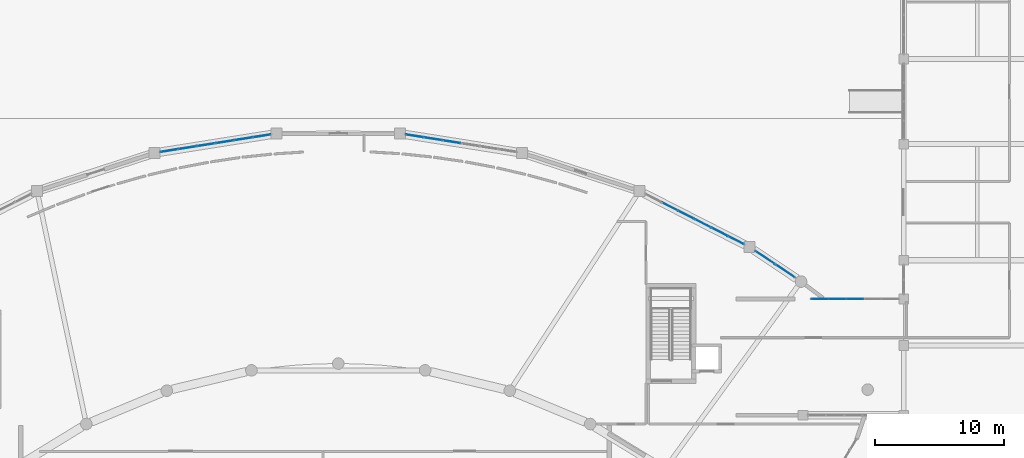
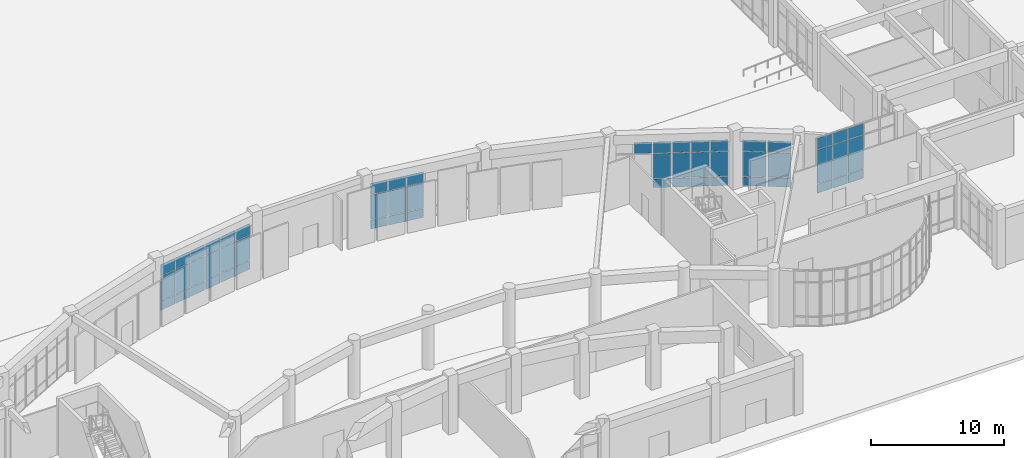
# One storey, part 41 of 70: 55 plates, 8 elements without a shape of their own.
"""IFC4 building model written with IfcOpenShell, lengths in metres."""

from ifc_helpers import new_model, si_unit, direction, frame, origin, origin_2d, place, context, subcontext, project, spatial, rectangle, extrude, material, layer, layer_set, type_object, element, aggregate, save


model = new_model("IFC4")

# Units and contexts
model_context = context("Model", 3, precision=1e-05, world=origin(), true_north=direction((0.0, 1.0)))
body_context = subcontext(model_context, "Body", "Model", "MODEL_VIEW")
ifc_project = project(units=[si_unit("LENGTHUNIT", "METRE"), si_unit("AREAUNIT", "SQUARE_METRE"), si_unit("VOLUMEUNIT", "CUBIC_METRE"), si_unit("PLANEANGLEUNIT", "RADIAN"), si_unit("MASSUNIT", "GRAM", prefix="KILO")], contexts=[model_context])

# Site, building, storey
site_placement = place(None, origin())
site = spatial("IfcSite", under=ifc_project, at=site_placement, CompositionType="ELEMENT")
building_placement = place(site_placement, origin())
building = spatial("IfcBuilding", under=site, at=building_placement, Name="Miralva Faculty of Natural Sciences", CompositionType="ELEMENT")
storey_placement = place(building_placement, origin())
storey = spatial("IfcBuildingStorey", under=building, at=storey_placement, Name="L00", CompositionType="ELEMENT", Elevation=0.0)

# Curtain wall, plates
ifc_material = material(Name="Laminated solar-control glass", Category="glass")
ifc_layer_1 = layer(ifc_material, 0.179931640625, Name="CW-ARC-L00")
ifc_layer_set_1 = layer_set([ifc_layer_1], Name="Laminated solar-control glass")
curtain_wall_type_1 = type_object("IfcCurtainWallType", Name="CW-ARC-L00", PredefinedType="USERDEFINED", material=ifc_layer_set_1)
curtain_wall_1_placement = place(storey_placement, origin())
curtain_wall_1 = element("IfcCurtainWall", 1, at=curtain_wall_1_placement, inside=storey, type_object=curtain_wall_type_1, Name="Curtain wall CW-01 L00-5", ObjectType="UNITISED CURTAIN WALL", PredefinedType="USERDEFINED")
ifc_layer_2 = layer(ifc_material, 0.028076171875, Name="PNL-P01")
ifc_layer_set_2 = layer_set([ifc_layer_2], Name="Laminated solar-control glass")
plate_type = type_object("IfcPlateType", Name="PNL-P01", PredefinedType="CURTAIN_PANEL", material=ifc_layer_set_2)
plate_1_placement = place(storey_placement, frame((76.9052734375, 38.49609375, 0.06005859375), z_axis=(0.0, 0.0, 1.0), x_axis=(0.987687538377, 0.15643952996, 0.0)))
plate_1 = element("IfcPlate", 2, at=plate_1_placement, type_object=plate_type, Name="CW-01 panel 1.1", PredefinedType="CURTAIN_PANEL", context=body_context, shape_type="SweptSolid", body=[
    extrude(rectangle(XDim=1.359619140625, YDim=0.028076171875, at=origin_2d()), origin(), (0.0, 0.0, 1.0), 0.81005859375),
])
plate_2_placement = place(storey_placement, frame((76.9052734375, 38.49609375, 0.929931640625), z_axis=(0.0, 0.0, 1.0), x_axis=(0.987687538377, 0.15643952996, 0.0)))
plate_2 = element("IfcPlate", 3, at=plate_2_placement, type_object=plate_type, Name="CW-01 panel 1.2", PredefinedType="CURTAIN_PANEL", context=body_context, shape_type="SweptSolid", body=[
    extrude(rectangle(XDim=1.359619140625, YDim=0.028076171875, at=origin_2d()), origin(), (0.0, 0.0, 1.0), 2.2451171875),
])
plate_3_placement = place(storey_placement, frame((76.9052734375, 38.49609375, 3.23486328125), z_axis=(0.0, 0.0, 1.0), x_axis=(0.987687538377, 0.15643952996, 0.0)))
plate_3 = element("IfcPlate", 4, at=plate_3_placement, type_object=plate_type, Name="CW-01 panel 1.3", PredefinedType="CURTAIN_PANEL", context=body_context, shape_type="SweptSolid", body=[
    extrude(rectangle(XDim=1.359619140625, YDim=0.028076171875, at=origin_2d()), origin(), (0.0, 0.0, 1.0), 1.010009765625),
])
plate_4_placement = place(storey_placement, frame((78.328369140625, 38.721435546875, 0.06005859375), z_axis=(0.0, 0.0, 1.0), x_axis=(0.987687538377, 0.15643952996, 0.0)))
plate_4 = element("IfcPlate", 5, at=plate_4_placement, type_object=plate_type, Name="CW-01 panel 2.1", PredefinedType="CURTAIN_PANEL", context=body_context, shape_type="SweptSolid", body=[
    extrude(rectangle(XDim=1.39208984375, YDim=0.028076171875, at=origin_2d()), origin(), (0.0, 0.0, 1.0), 0.81005859375),
])
plate_5_placement = place(storey_placement, frame((78.328369140625, 38.721435546875, 0.929931640625), z_axis=(0.0, 0.0, 1.0), x_axis=(0.987687538377, 0.15643952996, 0.0)))
plate_5 = element("IfcPlate", 6, at=plate_5_placement, type_object=plate_type, Name="CW-01 panel 2.2", PredefinedType="CURTAIN_PANEL", context=body_context, shape_type="SweptSolid", body=[
    extrude(rectangle(XDim=1.39208984375, YDim=0.028076171875, at=origin_2d()), origin(), (0.0, 0.0, 1.0), 2.2451171875),
])
plate_6_placement = place(storey_placement, frame((78.328369140625, 38.721435546875, 3.23486328125), z_axis=(0.0, 0.0, 1.0), x_axis=(0.987687538377, 0.15643952996, 0.0)))
plate_6 = element("IfcPlate", 7, at=plate_6_placement, type_object=plate_type, Name="CW-01 panel 2.3", PredefinedType="CURTAIN_PANEL", context=body_context, shape_type="SweptSolid", body=[
    extrude(rectangle(XDim=1.39208984375, YDim=0.028076171875, at=origin_2d()), origin(), (0.0, 0.0, 1.0), 1.010009765625),
])
plate_7_placement = place(storey_placement, frame((79.751220703125, 38.94677734375, 0.06005859375), z_axis=(0.0, 0.0, 1.0), x_axis=(0.987687538377, 0.15643952996, 0.0)))
plate_7 = element("IfcPlate", 8, at=plate_7_placement, type_object=plate_type, Name="CW-01 panel 3.1", PredefinedType="CURTAIN_PANEL", context=body_context, shape_type="SweptSolid", body=[
    extrude(rectangle(XDim=1.359619140625, YDim=0.028076171875, at=origin_2d()), origin(), (0.0, 0.0, 1.0), 0.81005859375),
])
plate_8_placement = place(storey_placement, frame((79.751220703125, 38.94677734375, 0.929931640625), z_axis=(0.0, 0.0, 1.0), x_axis=(0.987687538377, 0.15643952996, 0.0)))
plate_8 = element("IfcPlate", 9, at=plate_8_placement, type_object=plate_type, Name="CW-01 panel 3.2", PredefinedType="CURTAIN_PANEL", context=body_context, shape_type="SweptSolid", body=[
    extrude(rectangle(XDim=1.359619140625, YDim=0.028076171875, at=origin_2d()), origin(), (0.0, 0.0, 1.0), 2.2451171875),
])
plate_9_placement = place(storey_placement, frame((79.751220703125, 38.94677734375, 3.23486328125), z_axis=(0.0, 0.0, 1.0), x_axis=(0.987687538377, 0.15643952996, 0.0)))
plate_9 = element("IfcPlate", 10, at=plate_9_placement, type_object=plate_type, Name="CW-01 panel 3.3", PredefinedType="CURTAIN_PANEL", context=body_context, shape_type="SweptSolid", body=[
    extrude(rectangle(XDim=1.359619140625, YDim=0.028076171875, at=origin_2d()), origin(), (0.0, 0.0, 1.0), 1.010009765625),
])
aggregate(curtain_wall_1, [plate_1, plate_2, plate_3, plate_4, plate_5, plate_6, plate_7, plate_8, plate_9])

curtain_wall_2_placement = place(storey_placement, origin())
curtain_wall_2 = element("IfcCurtainWall", 11, at=curtain_wall_2_placement, inside=storey, type_object=curtain_wall_type_1, Name="Curtain wall CW-01 L00-6", ObjectType="UNITISED CURTAIN WALL", PredefinedType="USERDEFINED")
plate_10_placement = place(storey_placement, frame((81.218505859375, 39.17919921875, 0.06005859375), z_axis=(0.0, 0.0, 1.0), x_axis=(0.987690225624, 0.156422562973, 0.0)))
plate_10 = element("IfcPlate", 12, at=plate_10_placement, type_object=plate_type, Name="CW-01 panel 1.1", PredefinedType="CURTAIN_PANEL", context=body_context, shape_type="SweptSolid", body=[
    extrude(rectangle(XDim=1.361083984375, YDim=0.028076171875, at=origin_2d()), origin(), (0.0, 0.0, 1.0), 0.81005859375),
])
plate_11_placement = place(storey_placement, frame((81.218505859375, 39.17919921875, 0.929931640625), z_axis=(0.0, 0.0, 1.0), x_axis=(0.987690225624, 0.156422562973, 0.0)))
plate_11 = element("IfcPlate", 13, at=plate_11_placement, type_object=plate_type, Name="CW-01 panel 1.2", PredefinedType="CURTAIN_PANEL", context=body_context, shape_type="SweptSolid", body=[
    extrude(rectangle(XDim=1.361083984375, YDim=0.028076171875, at=origin_2d()), origin(), (0.0, 0.0, 1.0), 2.2451171875),
])
plate_12_placement = place(storey_placement, frame((81.218505859375, 39.17919921875, 3.23486328125), z_axis=(0.0, 0.0, 1.0), x_axis=(0.987690225624, 0.156422562973, 0.0)))
plate_12 = element("IfcPlate", 14, at=plate_12_placement, type_object=plate_type, Name="CW-01 panel 1.3", PredefinedType="CURTAIN_PANEL", context=body_context, shape_type="SweptSolid", body=[
    extrude(rectangle(XDim=1.361083984375, YDim=0.028076171875, at=origin_2d()), origin(), (0.0, 0.0, 1.0), 1.010009765625),
])
plate_13_placement = place(storey_placement, frame((82.64306640625, 39.40478515625, 0.06005859375), z_axis=(0.0, 0.0, 1.0), x_axis=(0.987690225624, 0.156422562973, 0.0)))
plate_13 = element("IfcPlate", 15, at=plate_13_placement, type_object=plate_type, Name="CW-01 panel 2.1", PredefinedType="CURTAIN_PANEL", context=body_context, shape_type="SweptSolid", body=[
    extrude(rectangle(XDim=1.3935546875, YDim=0.028076171875, at=origin_2d()), origin(), (0.0, 0.0, 1.0), 0.81005859375),
])
plate_14_placement = place(storey_placement, frame((82.64306640625, 39.40478515625, 0.929931640625), z_axis=(0.0, 0.0, 1.0), x_axis=(0.987690225624, 0.156422562973, 0.0)))
plate_14 = element("IfcPlate", 16, at=plate_14_placement, type_object=plate_type, Name="CW-01 panel 2.2", PredefinedType="CURTAIN_PANEL", context=body_context, shape_type="SweptSolid", body=[
    extrude(rectangle(XDim=1.3935546875, YDim=0.028076171875, at=origin_2d()), origin(), (0.0, 0.0, 1.0), 2.2451171875),
])
plate_15_placement = place(storey_placement, frame((82.64306640625, 39.40478515625, 3.23486328125), z_axis=(0.0, 0.0, 1.0), x_axis=(0.987690225624, 0.156422562973, 0.0)))
plate_15 = element("IfcPlate", 17, at=plate_15_placement, type_object=plate_type, Name="CW-01 panel 2.3", PredefinedType="CURTAIN_PANEL", context=body_context, shape_type="SweptSolid", body=[
    extrude(rectangle(XDim=1.3935546875, YDim=0.028076171875, at=origin_2d()), origin(), (0.0, 0.0, 1.0), 1.010009765625),
])
plate_16_placement = place(storey_placement, frame((84.067626953125, 39.63037109375, 0.06005859375), z_axis=(0.0, 0.0, 1.0), x_axis=(0.987690225624, 0.156422562973, 0.0)))
plate_16 = element("IfcPlate", 18, at=plate_16_placement, type_object=plate_type, Name="CW-01 panel 3.1", PredefinedType="CURTAIN_PANEL", context=body_context, shape_type="SweptSolid", body=[
    extrude(rectangle(XDim=1.361083984375, YDim=0.028076171875, at=origin_2d()), origin(), (0.0, 0.0, 1.0), 0.81005859375),
])
plate_17_placement = place(storey_placement, frame((84.067626953125, 39.63037109375, 0.929931640625), z_axis=(0.0, 0.0, 1.0), x_axis=(0.987690225624, 0.156422562973, 0.0)))
plate_17 = element("IfcPlate", 19, at=plate_17_placement, type_object=plate_type, Name="CW-01 panel 3.2", PredefinedType="CURTAIN_PANEL", context=body_context, shape_type="SweptSolid", body=[
    extrude(rectangle(XDim=1.361083984375, YDim=0.028076171875, at=origin_2d()), origin(), (0.0, 0.0, 1.0), 2.2451171875),
])
plate_18_placement = place(storey_placement, frame((84.067626953125, 39.63037109375, 3.23486328125), z_axis=(0.0, 0.0, 1.0), x_axis=(0.987690225624, 0.156422562973, 0.0)))
plate_18 = element("IfcPlate", 20, at=plate_18_placement, type_object=plate_type, Name="CW-01 panel 3.3", PredefinedType="CURTAIN_PANEL", context=body_context, shape_type="SweptSolid", body=[
    extrude(rectangle(XDim=1.361083984375, YDim=0.028076171875, at=origin_2d()), origin(), (0.0, 0.0, 1.0), 1.010009765625),
])
aggregate(curtain_wall_2, [plate_10, plate_11, plate_12, plate_13, plate_14, plate_15, plate_16, plate_17, plate_18])

curtain_wall_3_placement = place(storey_placement, origin())
curtain_wall_3 = element("IfcCurtainWall", 21, at=curtain_wall_3_placement, inside=storey, type_object=curtain_wall_type_1, Name="Curtain wall CW-01 L00-7", ObjectType="UNITISED CURTAIN WALL", PredefinedType="USERDEFINED")
plate_19_placement = place(storey_placement, frame((95.931396484375, 39.630615234375, 0.06005859375), z_axis=(0.0, 0.0, 1.0), x_axis=(0.987691073089, -0.156417211778, 0.0)))
plate_19 = element("IfcPlate", 22, at=plate_19_placement, type_object=plate_type, Name="CW-01 panel 1.1", PredefinedType="CURTAIN_PANEL", context=body_context, shape_type="SweptSolid", body=[
    extrude(rectangle(XDim=1.359619140625, YDim=0.028076171875, at=origin_2d()), origin(), (0.0, 0.0, 1.0), 0.81005859375),
])
plate_20_placement = place(storey_placement, frame((95.931396484375, 39.630615234375, 0.929931640625), z_axis=(0.0, 0.0, 1.0), x_axis=(0.987691073089, -0.156417211778, 0.0)))
plate_20 = element("IfcPlate", 23, at=plate_20_placement, type_object=plate_type, Name="CW-01 panel 1.2", PredefinedType="CURTAIN_PANEL", context=body_context, shape_type="SweptSolid", body=[
    extrude(rectangle(XDim=1.359619140625, YDim=0.028076171875, at=origin_2d()), origin(), (0.0, 0.0, 1.0), 2.2451171875),
])
plate_21_placement = place(storey_placement, frame((95.931396484375, 39.630615234375, 3.23486328125), z_axis=(0.0, 0.0, 1.0), x_axis=(0.987691073089, -0.156417211778, 0.0)))
plate_21 = element("IfcPlate", 24, at=plate_21_placement, type_object=plate_type, Name="CW-01 panel 1.3", PredefinedType="CURTAIN_PANEL", context=body_context, shape_type="SweptSolid", body=[
    extrude(rectangle(XDim=1.359619140625, YDim=0.028076171875, at=origin_2d()), origin(), (0.0, 0.0, 1.0), 1.010009765625),
])
plate_22_placement = place(storey_placement, frame((97.3544921875, 39.405029296875, 0.06005859375), z_axis=(0.0, 0.0, 1.0), x_axis=(0.987691073089, -0.156417211778, 0.0)))
plate_22 = element("IfcPlate", 25, at=plate_22_placement, type_object=plate_type, Name="CW-01 panel 2.1", PredefinedType="CURTAIN_PANEL", context=body_context, shape_type="SweptSolid", body=[
    extrude(rectangle(XDim=1.39208984375, YDim=0.028076171875, at=origin_2d()), origin(), (0.0, 0.0, 1.0), 0.81005859375),
])
plate_23_placement = place(storey_placement, frame((97.3544921875, 39.405029296875, 0.929931640625), z_axis=(0.0, 0.0, 1.0), x_axis=(0.987691073089, -0.156417211778, 0.0)))
plate_23 = element("IfcPlate", 26, at=plate_23_placement, type_object=plate_type, Name="CW-01 panel 2.2", PredefinedType="CURTAIN_PANEL", context=body_context, shape_type="SweptSolid", body=[
    extrude(rectangle(XDim=1.39208984375, YDim=0.028076171875, at=origin_2d()), origin(), (0.0, 0.0, 1.0), 2.2451171875),
])
plate_24_placement = place(storey_placement, frame((97.3544921875, 39.405029296875, 3.23486328125), z_axis=(0.0, 0.0, 1.0), x_axis=(0.987691073089, -0.156417211778, 0.0)))
plate_24 = element("IfcPlate", 27, at=plate_24_placement, type_object=plate_type, Name="CW-01 panel 2.3", PredefinedType="CURTAIN_PANEL", context=body_context, shape_type="SweptSolid", body=[
    extrude(rectangle(XDim=1.39208984375, YDim=0.028076171875, at=origin_2d()), origin(), (0.0, 0.0, 1.0), 1.010009765625),
])
plate_25_placement = place(storey_placement, frame((98.777587890625, 39.1796875, 0.06005859375), z_axis=(0.0, 0.0, 1.0), x_axis=(0.987691073089, -0.156417211778, 0.0)))
plate_25 = element("IfcPlate", 28, at=plate_25_placement, type_object=plate_type, Name="CW-01 panel 3.1", PredefinedType="CURTAIN_PANEL", context=body_context, shape_type="SweptSolid", body=[
    extrude(rectangle(XDim=1.359619140625, YDim=0.028076171875, at=origin_2d()), origin(), (0.0, 0.0, 1.0), 0.81005859375),
])
plate_26_placement = place(storey_placement, frame((98.777587890625, 39.1796875, 0.929931640625), z_axis=(0.0, 0.0, 1.0), x_axis=(0.987691073089, -0.156417211778, 0.0)))
plate_26 = element("IfcPlate", 29, at=plate_26_placement, type_object=plate_type, Name="CW-01 panel 3.2", PredefinedType="CURTAIN_PANEL", context=body_context, shape_type="SweptSolid", body=[
    extrude(rectangle(XDim=1.359619140625, YDim=0.028076171875, at=origin_2d()), origin(), (0.0, 0.0, 1.0), 2.2451171875),
])
plate_27_placement = place(storey_placement, frame((98.777587890625, 39.1796875, 3.23486328125), z_axis=(0.0, 0.0, 1.0), x_axis=(0.987691073089, -0.156417211778, 0.0)))
plate_27 = element("IfcPlate", 30, at=plate_27_placement, type_object=plate_type, Name="CW-01 panel 3.3", PredefinedType="CURTAIN_PANEL", context=body_context, shape_type="SweptSolid", body=[
    extrude(rectangle(XDim=1.359619140625, YDim=0.028076171875, at=origin_2d()), origin(), (0.0, 0.0, 1.0), 1.010009765625),
])
aggregate(curtain_wall_3, [plate_19, plate_20, plate_21, plate_22, plate_23, plate_24, plate_25, plate_26, plate_27])

curtain_wall_4_placement = place(storey_placement, origin())
curtain_wall_4 = element("IfcCurtainWall", 31, at=curtain_wall_4_placement, inside=storey, type_object=curtain_wall_type_1, Name="Curtain wall CW-01 L00-9", ObjectType="UNITISED CURTAIN WALL", PredefinedType="USERDEFINED")
plate_28_placement = place(storey_placement, frame((115.68310546875, 34.164794921875, 3.23486328125), z_axis=(0.0, 0.0, 1.0), x_axis=(0.89101812581, -0.453967729556, 0.0)))
plate_28 = element("IfcPlate", 32, at=plate_28_placement, type_object=plate_type, Name="CW-01 panel 2.3", PredefinedType="CURTAIN_PANEL", context=body_context, shape_type="SweptSolid", body=[
    extrude(rectangle(XDim=1.375244140625, YDim=0.028076171875, at=origin_2d()), origin(), (0.0, 0.0, 1.0), 1.010009765625),
])
plate_29_placement = place(storey_placement, frame((116.951904296875, 33.518310546875, 0.06005859375), z_axis=(0.0, 0.0, 1.0), x_axis=(0.89101812581, -0.453967729556, 0.0)))
plate_29 = element("IfcPlate", 33, at=plate_29_placement, type_object=plate_type, Name="CW-01 panel 3.1", PredefinedType="CURTAIN_PANEL", context=body_context, shape_type="SweptSolid", body=[
    extrude(rectangle(XDim=1.3427734375, YDim=0.028076171875, at=origin_2d()), origin(), (0.0, 0.0, 1.0), 0.81005859375),
])
plate_30_placement = place(storey_placement, frame((116.951904296875, 33.518310546875, 0.929931640625), z_axis=(0.0, 0.0, 1.0), x_axis=(0.89101812581, -0.453967729556, 0.0)))
plate_30 = element("IfcPlate", 34, at=plate_30_placement, type_object=plate_type, Name="CW-01 panel 3.2", PredefinedType="CURTAIN_PANEL", context=body_context, shape_type="SweptSolid", body=[
    extrude(rectangle(XDim=1.3427734375, YDim=0.028076171875, at=origin_2d()), origin(), (0.0, 0.0, 1.0), 2.2451171875),
])
plate_31_placement = place(storey_placement, frame((116.951904296875, 33.518310546875, 3.23486328125), z_axis=(0.0, 0.0, 1.0), x_axis=(0.89101812581, -0.453967729556, 0.0)))
plate_31 = element("IfcPlate", 35, at=plate_31_placement, type_object=plate_type, Name="CW-01 panel 3.3", PredefinedType="CURTAIN_PANEL", context=body_context, shape_type="SweptSolid", body=[
    extrude(rectangle(XDim=1.3427734375, YDim=0.028076171875, at=origin_2d()), origin(), (0.0, 0.0, 1.0), 1.010009765625),
])
aggregate(curtain_wall_4, [plate_28, plate_29, plate_30, plate_31])

curtain_wall_5_placement = place(storey_placement, origin())
curtain_wall_5 = element("IfcCurtainWall", 36, at=curtain_wall_5_placement, inside=storey, type_object=curtain_wall_type_1, Name="Curtain wall CW-01 L00-10", ObjectType="UNITISED CURTAIN WALL", PredefinedType="USERDEFINED")
plate_32_placement = place(storey_placement, frame((118.260498046875, 32.8515625, 0.06005859375), z_axis=(0.0, 0.0, 1.0), x_axis=(0.891003330476, -0.453996767698, 0.0)))
plate_32 = element("IfcPlate", 37, at=plate_32_placement, type_object=plate_type, Name="CW-01 panel 1.1", PredefinedType="CURTAIN_PANEL", context=body_context, shape_type="SweptSolid", body=[
    extrude(rectangle(XDim=1.344482421875, YDim=0.028076171875, at=origin_2d()), origin(), (0.0, 0.0, 1.0), 0.81005859375),
])
plate_33_placement = place(storey_placement, frame((118.260498046875, 32.8515625, 0.929931640625), z_axis=(0.0, 0.0, 1.0), x_axis=(0.891003330476, -0.453996767698, 0.0)))
plate_33 = element("IfcPlate", 38, at=plate_33_placement, type_object=plate_type, Name="CW-01 panel 1.2", PredefinedType="CURTAIN_PANEL", context=body_context, shape_type="SweptSolid", body=[
    extrude(rectangle(XDim=1.344482421875, YDim=0.028076171875, at=origin_2d()), origin(), (0.0, 0.0, 1.0), 2.2451171875),
])
plate_34_placement = place(storey_placement, frame((118.260498046875, 32.8515625, 3.23486328125), z_axis=(0.0, 0.0, 1.0), x_axis=(0.891003330476, -0.453996767698, 0.0)))
plate_34 = element("IfcPlate", 39, at=plate_34_placement, type_object=plate_type, Name="CW-01 panel 1.3", PredefinedType="CURTAIN_PANEL", context=body_context, shape_type="SweptSolid", body=[
    extrude(rectangle(XDim=1.344482421875, YDim=0.028076171875, at=origin_2d()), origin(), (0.0, 0.0, 1.0), 1.010009765625),
])
plate_35_placement = place(storey_placement, frame((119.53076171875, 32.2041015625, 0.06005859375), z_axis=(0.0, 0.0, 1.0), x_axis=(0.891003330476, -0.453996767698, 0.0)))
plate_35 = element("IfcPlate", 40, at=plate_35_placement, type_object=plate_type, Name="CW-01 panel 2.1", PredefinedType="CURTAIN_PANEL", context=body_context, shape_type="SweptSolid", body=[
    extrude(rectangle(XDim=1.376953125, YDim=0.028076171875, at=origin_2d()), origin(), (0.0, 0.0, 1.0), 0.81005859375),
])
plate_36_placement = place(storey_placement, frame((119.53076171875, 32.2041015625, 0.929931640625), z_axis=(0.0, 0.0, 1.0), x_axis=(0.891003330476, -0.453996767698, 0.0)))
plate_36 = element("IfcPlate", 41, at=plate_36_placement, type_object=plate_type, Name="CW-01 panel 2.2", PredefinedType="CURTAIN_PANEL", context=body_context, shape_type="SweptSolid", body=[
    extrude(rectangle(XDim=1.376953125, YDim=0.028076171875, at=origin_2d()), origin(), (0.0, 0.0, 1.0), 2.2451171875),
])
plate_37_placement = place(storey_placement, frame((119.53076171875, 32.2041015625, 3.23486328125), z_axis=(0.0, 0.0, 1.0), x_axis=(0.891003330476, -0.453996767698, 0.0)))
plate_37 = element("IfcPlate", 42, at=plate_37_placement, type_object=plate_type, Name="CW-01 panel 2.3", PredefinedType="CURTAIN_PANEL", context=body_context, shape_type="SweptSolid", body=[
    extrude(rectangle(XDim=1.376953125, YDim=0.028076171875, at=origin_2d()), origin(), (0.0, 0.0, 1.0), 1.010009765625),
])
plate_38_placement = place(storey_placement, frame((120.80126953125, 31.556884765625, 0.06005859375), z_axis=(0.0, 0.0, 1.0), x_axis=(0.891003330476, -0.453996767698, 0.0)))
plate_38 = element("IfcPlate", 43, at=plate_38_placement, type_object=plate_type, Name="CW-01 panel 3.1", PredefinedType="CURTAIN_PANEL", context=body_context, shape_type="SweptSolid", body=[
    extrude(rectangle(XDim=1.344482421875, YDim=0.028076171875, at=origin_2d()), origin(), (0.0, 0.0, 1.0), 0.81005859375),
])
plate_39_placement = place(storey_placement, frame((120.80126953125, 31.556884765625, 0.929931640625), z_axis=(0.0, 0.0, 1.0), x_axis=(0.891003330476, -0.453996767698, 0.0)))
plate_39 = element("IfcPlate", 44, at=plate_39_placement, type_object=plate_type, Name="CW-01 panel 3.2", PredefinedType="CURTAIN_PANEL", context=body_context, shape_type="SweptSolid", body=[
    extrude(rectangle(XDim=1.344482421875, YDim=0.028076171875, at=origin_2d()), origin(), (0.0, 0.0, 1.0), 2.2451171875),
])
plate_40_placement = place(storey_placement, frame((120.80126953125, 31.556884765625, 3.23486328125), z_axis=(0.0, 0.0, 1.0), x_axis=(0.891003330476, -0.453996767698, 0.0)))
plate_40 = element("IfcPlate", 45, at=plate_40_placement, type_object=plate_type, Name="CW-01 panel 3.3", PredefinedType="CURTAIN_PANEL", context=body_context, shape_type="SweptSolid", body=[
    extrude(rectangle(XDim=1.344482421875, YDim=0.028076171875, at=origin_2d()), origin(), (0.0, 0.0, 1.0), 1.010009765625),
])
aggregate(curtain_wall_5, [plate_32, plate_33, plate_34, plate_35, plate_36, plate_37, plate_38, plate_39, plate_40])

curtain_wall_6_placement = place(storey_placement, origin())
curtain_wall_6 = element("IfcCurtainWall", 46, at=curtain_wall_6_placement, inside=storey, type_object=curtain_wall_type_1, Name="Curtain wall CW-01 L00-11", ObjectType="UNITISED CURTAIN WALL", PredefinedType="USERDEFINED")
plate_41_placement = place(storey_placement, frame((123.07373046875, 30.208251953125, 0.06005859375), z_axis=(0.0, 0.0, 1.0), x_axis=(0.831474911379, -0.555562302309, 0.0)))
plate_41 = element("IfcPlate", 47, at=plate_41_placement, type_object=plate_type, Name="CW-01 panel 1.1", PredefinedType="CURTAIN_PANEL", context=body_context, shape_type="SweptSolid", body=[
    extrude(rectangle(XDim=1.769775390625, YDim=0.028076171875, at=origin_2d()), origin(), (0.0, 0.0, 1.0), 0.81005859375),
])
plate_42_placement = place(storey_placement, frame((123.07373046875, 30.208251953125, 0.929931640625), z_axis=(0.0, 0.0, 1.0), x_axis=(0.831474911379, -0.555562302309, 0.0)))
plate_42 = element("IfcPlate", 48, at=plate_42_placement, type_object=plate_type, Name="CW-01 panel 1.2", PredefinedType="CURTAIN_PANEL", context=body_context, shape_type="SweptSolid", body=[
    extrude(rectangle(XDim=1.769775390625, YDim=0.028076171875, at=origin_2d()), origin(), (0.0, 0.0, 1.0), 2.2451171875),
])
plate_43_placement = place(storey_placement, frame((123.07373046875, 30.208251953125, 3.23486328125), z_axis=(0.0, 0.0, 1.0), x_axis=(0.831474911379, -0.555562302309, 0.0)))
plate_43 = element("IfcPlate", 49, at=plate_43_placement, type_object=plate_type, Name="CW-01 panel 1.3", PredefinedType="CURTAIN_PANEL", context=body_context, shape_type="SweptSolid", body=[
    extrude(rectangle(XDim=1.769775390625, YDim=0.028076171875, at=origin_2d()), origin(), (0.0, 0.0, 1.0), 1.010009765625),
])
aggregate(curtain_wall_6, [plate_41, plate_42, plate_43])

curtain_wall_7_placement = place(storey_placement, origin())
curtain_wall_7 = element("IfcCurtainWall", 50, at=curtain_wall_7_placement, inside=storey, type_object=curtain_wall_type_1, Name="Curtain wall CW-01 L00-12", ObjectType="UNITISED CURTAIN WALL", PredefinedType="USERDEFINED")
plate_44_placement = place(storey_placement, frame((124.638916015625, 29.16259765625, 0.06005859375), z_axis=(0.0, 0.0, 1.0), x_axis=(0.831475446348, -0.555561501654, 0.0)))
plate_44 = element("IfcPlate", 51, at=plate_44_placement, type_object=plate_type, Name="CW-01 panel 1.1", PredefinedType="CURTAIN_PANEL", context=body_context, shape_type="SweptSolid", body=[
    extrude(rectangle(XDim=1.744873046875, YDim=0.028076171875, at=origin_2d()), origin(), (0.0, 0.0, 1.0), 0.81005859375),
])
plate_45_placement = place(storey_placement, frame((124.638916015625, 29.16259765625, 0.929931640625), z_axis=(0.0, 0.0, 1.0), x_axis=(0.831475446348, -0.555561501654, 0.0)))
plate_45 = element("IfcPlate", 52, at=plate_45_placement, type_object=plate_type, Name="CW-01 panel 1.2", PredefinedType="CURTAIN_PANEL", context=body_context, shape_type="SweptSolid", body=[
    extrude(rectangle(XDim=1.744873046875, YDim=0.028076171875, at=origin_2d()), origin(), (0.0, 0.0, 1.0), 2.2451171875),
])
plate_46_placement = place(storey_placement, frame((124.638916015625, 29.16259765625, 3.23486328125), z_axis=(0.0, 0.0, 1.0), x_axis=(0.831475446348, -0.555561501654, 0.0)))
plate_46 = element("IfcPlate", 53, at=plate_46_placement, type_object=plate_type, Name="CW-01 panel 1.3", PredefinedType="CURTAIN_PANEL", context=body_context, shape_type="SweptSolid", body=[
    extrude(rectangle(XDim=1.744873046875, YDim=0.028076171875, at=origin_2d()), origin(), (0.0, 0.0, 1.0), 1.010009765625),
])
aggregate(curtain_wall_7, [plate_44, plate_45, plate_46])

ifc_layer_3 = layer(ifc_material, 0.179931640625, Name="CW-COM-L01")
ifc_layer_set_3 = layer_set([ifc_layer_3], Name="Laminated solar-control glass")
curtain_wall_type_2 = type_object("IfcCurtainWallType", Name="CW-COM-L01", PredefinedType="USERDEFINED", material=ifc_layer_set_3)
curtain_wall_8_placement = place(storey_placement, origin())
curtain_wall_8 = element("IfcCurtainWall", 54, at=curtain_wall_8_placement, inside=storey, type_object=curtain_wall_type_2, Name="Curtain wall CW-10 L00-287", ObjectType="UNITISED CURTAIN WALL", PredefinedType="USERDEFINED")
plate_47_placement = place(storey_placement, frame((127.3173828125, 27.0, 0.06005859375), z_axis=(0.0, 0.0, 1.0), x_axis=(1.0, 0.0, 0.0)))
plate_47 = element("IfcPlate", 55, at=plate_47_placement, type_object=plate_type, Name="CW-10 panel 1.1", PredefinedType="CURTAIN_PANEL", context=body_context, shape_type="SweptSolid", body=[
    extrude(rectangle(XDim=1.27490234375, YDim=0.028076171875, at=origin_2d()), origin(), (0.0, 0.0, 1.0), 0.81005859375),
])
plate_48_placement = place(storey_placement, frame((127.3173828125, 27.0, 0.93017578125), z_axis=(0.0, 0.0, 1.0), x_axis=(1.0, 0.0, 0.0)))
plate_48 = element("IfcPlate", 56, at=plate_48_placement, type_object=plate_type, Name="CW-10 panel 1.2", PredefinedType="CURTAIN_PANEL", context=body_context, shape_type="SweptSolid", body=[
    extrude(rectangle(XDim=1.27490234375, YDim=0.028076171875, at=origin_2d()), origin(), (0.0, 0.0, 1.0), 3.090087890625),
])
plate_49_placement = place(storey_placement, frame((127.3173828125, 27.0, 4.080078125), z_axis=(0.0, 0.0, 1.0), x_axis=(1.0, 0.0, 0.0)))
plate_49 = element("IfcPlate", 57, at=plate_49_placement, type_object=plate_type, Name="CW-10 panel 1.3", PredefinedType="CURTAIN_PANEL", context=body_context, shape_type="SweptSolid", body=[
    extrude(rectangle(XDim=1.27490234375, YDim=0.028076171875, at=origin_2d()), origin(), (0.0, 0.0, 1.0), 1.010009765625),
])
plate_50_placement = place(storey_placement, frame((128.66748046875, 27.0, 0.06005859375), z_axis=(0.0, 0.0, 1.0), x_axis=(1.0, 0.0, 0.0)))
plate_50 = element("IfcPlate", 58, at=plate_50_placement, type_object=plate_type, Name="CW-10 panel 2.1", PredefinedType="CURTAIN_PANEL", context=body_context, shape_type="SweptSolid", body=[
    extrude(rectangle(XDim=1.304931640625, YDim=0.028076171875, at=origin_2d()), origin(), (0.0, 0.0, 1.0), 0.81005859375),
])
plate_51_placement = place(storey_placement, frame((128.66748046875, 27.0, 0.93017578125), z_axis=(0.0, 0.0, 1.0), x_axis=(1.0, 0.0, 0.0)))
plate_51 = element("IfcPlate", 59, at=plate_51_placement, type_object=plate_type, Name="CW-10 panel 2.2", PredefinedType="CURTAIN_PANEL", context=body_context, shape_type="SweptSolid", body=[
    extrude(rectangle(XDim=1.304931640625, YDim=0.028076171875, at=origin_2d()), origin(), (0.0, 0.0, 1.0), 3.090087890625),
])
plate_52_placement = place(storey_placement, frame((128.66748046875, 27.0, 4.080078125), z_axis=(0.0, 0.0, 1.0), x_axis=(1.0, 0.0, 0.0)))
plate_52 = element("IfcPlate", 60, at=plate_52_placement, type_object=plate_type, Name="CW-10 panel 2.3", PredefinedType="CURTAIN_PANEL", context=body_context, shape_type="SweptSolid", body=[
    extrude(rectangle(XDim=1.304931640625, YDim=0.028076171875, at=origin_2d()), origin(), (0.0, 0.0, 1.0), 1.010009765625),
])
plate_53_placement = place(storey_placement, frame((130.032470703125, 27.0, 0.06005859375), z_axis=(0.0, 0.0, 1.0), x_axis=(1.0, 0.0, 0.0)))
plate_53 = element("IfcPlate", 61, at=plate_53_placement, type_object=plate_type, Name="CW-10 panel 3.1", PredefinedType="CURTAIN_PANEL", context=body_context, shape_type="SweptSolid", body=[
    extrude(rectangle(XDim=1.304931640625, YDim=0.028076171875, at=origin_2d()), origin(), (0.0, 0.0, 1.0), 0.81005859375),
])
plate_54_placement = place(storey_placement, frame((130.032470703125, 27.0, 0.93017578125), z_axis=(0.0, 0.0, 1.0), x_axis=(1.0, 0.0, 0.0)))
plate_54 = element("IfcPlate", 62, at=plate_54_placement, type_object=plate_type, Name="CW-10 panel 3.2", PredefinedType="CURTAIN_PANEL", context=body_context, shape_type="SweptSolid", body=[
    extrude(rectangle(XDim=1.304931640625, YDim=0.028076171875, at=origin_2d()), origin(), (0.0, 0.0, 1.0), 3.090087890625),
])
plate_55_placement = place(storey_placement, frame((130.032470703125, 27.0, 4.080078125), z_axis=(0.0, 0.0, 1.0), x_axis=(1.0, 0.0, 0.0)))
plate_55 = element("IfcPlate", 63, at=plate_55_placement, type_object=plate_type, Name="CW-10 panel 3.3", PredefinedType="CURTAIN_PANEL", context=body_context, shape_type="SweptSolid", body=[
    extrude(rectangle(XDim=1.304931640625, YDim=0.028076171875, at=origin_2d()), origin(), (0.0, 0.0, 1.0), 1.010009765625),
])
aggregate(curtain_wall_8, [plate_47, plate_48, plate_49, plate_50, plate_51, plate_52, plate_53, plate_54, plate_55])

save(model, "model.ifc")
